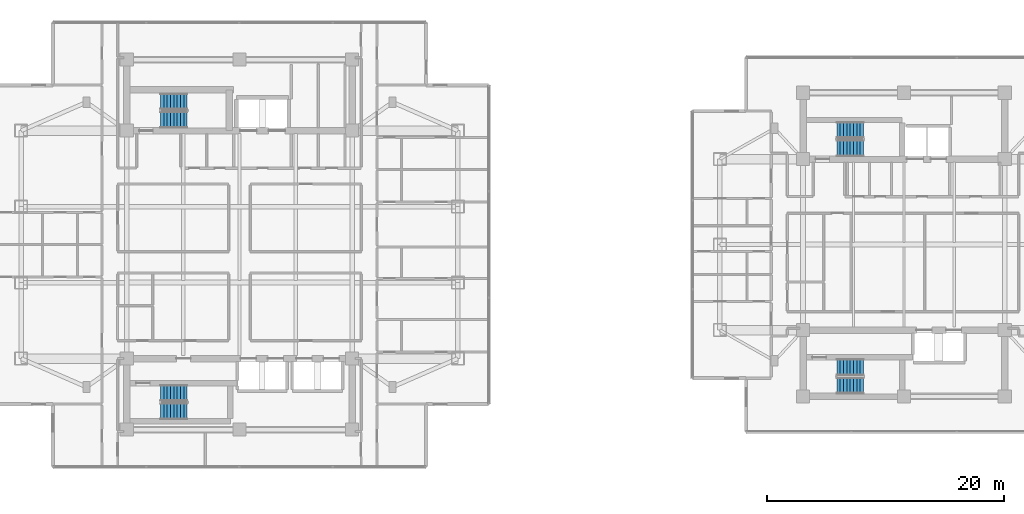
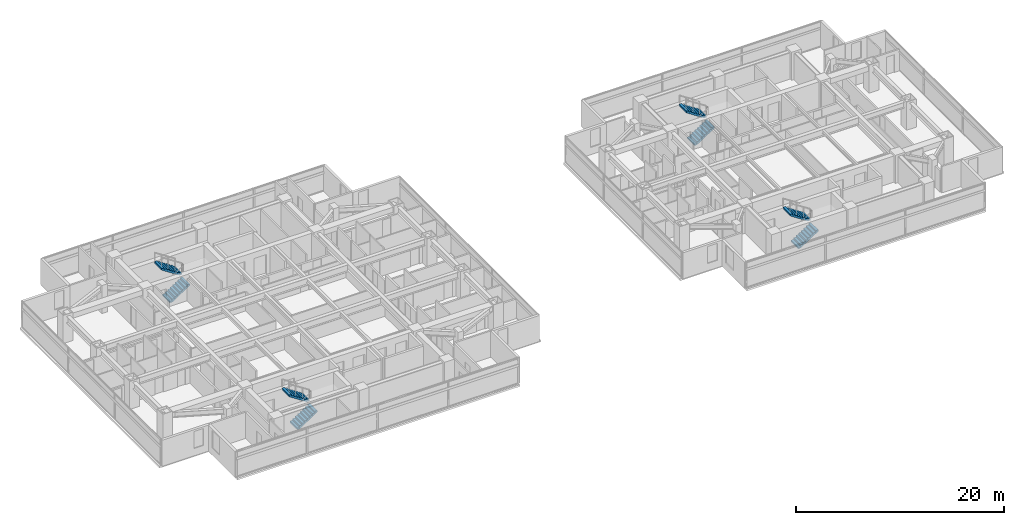
# One storey, part 19 of 25: 8 stair flights, 4 elements without a shape of their own.
"""IFC4 building model written with IfcOpenShell, lengths in metres."""

from ifc_helpers import new_model, si_unit, direction, frame, origin, place, context, subcontext, project, spatial, polyline, outline, extrude, material, type_object, element, aggregate, save


model = new_model("IFC4")

# Units and contexts
model_context = context("Model", 3, precision=1e-05, world=origin(), true_north=direction((0.0, 1.0)))
body_context = subcontext(model_context, "Body", "Model", "MODEL_VIEW")
ifc_project = project(units=[si_unit("LENGTHUNIT", "METRE"), si_unit("AREAUNIT", "SQUARE_METRE"), si_unit("VOLUMEUNIT", "CUBIC_METRE"), si_unit("PLANEANGLEUNIT", "RADIAN"), si_unit("MASSUNIT", "GRAM", prefix="KILO")], contexts=[model_context])

# Site, building, storey
site_placement = place(None, origin())
site = spatial("IfcSite", under=ifc_project, at=site_placement, CompositionType="ELEMENT")
building_placement = place(site_placement, origin())
building = spatial("IfcBuilding", under=site, at=building_placement, Name="Mirazonda Arch Towers", CompositionType="ELEMENT")
storey_placement = place(building_placement, frame((0.0, 0.0, 131.300048828125)))
storey = spatial("IfcBuildingStorey", under=building, at=storey_placement, Name="L37", CompositionType="ELEMENT", Elevation=131.300048828125)

# Stair, stair flights
ifc_material = material(Name="Concrete C40/50", Category="concrete")
stair_type = type_object("IfcStairType", Name="STAIR-CORE-1400", PredefinedType="HALF_TURN_STAIR", material=ifc_material)
stair_1_placement = place(storey_placement, origin())
stair_1 = element("IfcStair", 1, at=stair_1_placement, inside=storey, type_object=stair_type, Name="L37 Protected Exit Stair ST-T1N", PredefinedType="HALF_TURN_STAIR")
stair_flight_type = type_object("IfcStairFlightType", Name="FLIGHT-1400", PredefinedType="STRAIGHT", material=ifc_material)
stair_flight_1_placement = place(storey_placement, frame((13.85009765625, 38.52001953125, 0.0), z_axis=(0.0, 0.0, 1.0), x_axis=(1.0, 0.0, 0.0)))
stair_flight_1 = element("IfcStairFlight", 2, at=stair_flight_1_placement, type_object=stair_flight_type, Name="ST-T1N flight 1", NumberOfRisers=9, NumberOfTreads=8, PredefinedType="STRAIGHT", RiserHeight=0.183333333, TreadLength=0.28, context=body_context, shape_type="SweptSolid", body=[
    extrude(outline(polyline([(0.0, 0.0), (0.0, 0.183349609375), (0.280029296875, 0.183349609375), (0.280029296875, 0.36669921875), (0.56005859375, 0.36669921875), (0.56005859375, 0.550048828125), (0.840087890625, 0.550048828125), (0.840087890625, 0.7333984375), (1.1201171875, 0.7333984375), (1.1201171875, 0.916748046875), (1.39990234375, 0.916748046875), (1.39990234375, 1.10009765625), (1.679931640625, 1.10009765625), (1.679931640625, 1.283447265625), (1.9599609375, 1.283447265625), (1.9599609375, 1.466552734375), (2.239990234375, 1.466552734375), (2.239990234375, 1.64990234375), (2.239990234375, 1.275634765625), (0.2919921875, 0.0), (0.0, 0.0)])), frame((0.0, 0.699951171875, 0.0), z_axis=(0.0, -1.0, 0.0), x_axis=(1.0, 0.0, 0.0)), (0.0, 0.0, 1.0), 1.39990234375),
])
stair_flight_2_placement = place(storey_placement, frame((16.090087890625, 40.06005859375, 1.64990234375), z_axis=(0.0, 0.0, 1.0), x_axis=(-1.0, 0.0, 0.0)))
stair_flight_2 = element("IfcStairFlight", 3, at=stair_flight_2_placement, type_object=stair_flight_type, Name="ST-T1N flight 2", NumberOfRisers=9, NumberOfTreads=8, PredefinedType="STRAIGHT", RiserHeight=0.183333333, TreadLength=0.28, context=body_context, shape_type="SweptSolid", body=[
    extrude(outline(polyline([(0.0, 0.0), (0.0, 0.183349609375), (0.280029296875, 0.183349609375), (0.280029296875, 0.36669921875), (0.56005859375, 0.36669921875), (0.56005859375, 0.550048828125), (0.840087890625, 0.550048828125), (0.840087890625, 0.7333984375), (1.1201171875, 0.7333984375), (1.1201171875, 0.916748046875), (1.39990234375, 0.916748046875), (1.39990234375, 1.10009765625), (1.679931640625, 1.10009765625), (1.679931640625, 1.283447265625), (1.9599609375, 1.283447265625), (1.9599609375, 1.466552734375), (2.239990234375, 1.466552734375), (2.239990234375, 1.64990234375), (2.239990234375, 1.275634765625), (0.2919921875, 0.0), (0.0, 0.0)])), frame((0.0, 0.699951171875, 0.0), z_axis=(0.0, -1.0, 0.0), x_axis=(1.0, 0.0, 0.0)), (0.0, 0.0, 1.0), 1.39990234375),
])
aggregate(stair_1, [stair_flight_1, stair_flight_2])

stair_2_placement = place(storey_placement, origin())
stair_2 = element("IfcStair", 4, at=stair_2_placement, inside=storey, type_object=stair_type, Name="L37 Protected Exit Stair ST-T1S", PredefinedType="HALF_TURN_STAIR")
stair_flight_3_placement = place(storey_placement, frame((13.85009765625, 13.949951171875, 0.0), z_axis=(0.0, 0.0, 1.0), x_axis=(1.0, 0.0, 0.0)))
stair_flight_3 = element("IfcStairFlight", 5, at=stair_flight_3_placement, type_object=stair_flight_type, Name="ST-T1S flight 1", NumberOfRisers=9, NumberOfTreads=8, PredefinedType="STRAIGHT", RiserHeight=0.183333333, TreadLength=0.28, context=body_context, shape_type="SweptSolid", body=[
    extrude(outline(polyline([(0.0, 0.0), (0.0, 0.183349609375), (0.280029296875, 0.183349609375), (0.280029296875, 0.36669921875), (0.56005859375, 0.36669921875), (0.56005859375, 0.550048828125), (0.840087890625, 0.550048828125), (0.840087890625, 0.7333984375), (1.1201171875, 0.7333984375), (1.1201171875, 0.916748046875), (1.39990234375, 0.916748046875), (1.39990234375, 1.10009765625), (1.679931640625, 1.10009765625), (1.679931640625, 1.283447265625), (1.9599609375, 1.283447265625), (1.9599609375, 1.466552734375), (2.239990234375, 1.466552734375), (2.239990234375, 1.64990234375), (2.239990234375, 1.275634765625), (0.2919921875, 0.0), (0.0, 0.0)])), frame((0.0, 0.699951171875, 0.0), z_axis=(0.0, -1.0, 0.0), x_axis=(1.0, 0.0, 0.0)), (0.0, 0.0, 1.0), 1.39990234375),
])
stair_flight_4_placement = place(storey_placement, frame((16.090087890625, 15.489990234375, 1.64990234375), z_axis=(0.0, 0.0, 1.0), x_axis=(-1.0, 0.0, 0.0)))
stair_flight_4 = element("IfcStairFlight", 6, at=stair_flight_4_placement, type_object=stair_flight_type, Name="ST-T1S flight 2", NumberOfRisers=9, NumberOfTreads=8, PredefinedType="STRAIGHT", RiserHeight=0.183333333, TreadLength=0.28, context=body_context, shape_type="SweptSolid", body=[
    extrude(outline(polyline([(0.0, 0.0), (0.0, 0.183349609375), (0.280029296875, 0.183349609375), (0.280029296875, 0.36669921875), (0.56005859375, 0.36669921875), (0.56005859375, 0.550048828125), (0.840087890625, 0.550048828125), (0.840087890625, 0.7333984375), (1.1201171875, 0.7333984375), (1.1201171875, 0.916748046875), (1.39990234375, 0.916748046875), (1.39990234375, 1.10009765625), (1.679931640625, 1.10009765625), (1.679931640625, 1.283447265625), (1.9599609375, 1.283447265625), (1.9599609375, 1.466552734375), (2.239990234375, 1.466552734375), (2.239990234375, 1.64990234375), (2.239990234375, 1.275634765625), (0.2919921875, 0.0), (0.0, 0.0)])), frame((0.0, 0.699951171875, 0.0), z_axis=(0.0, -1.0, 0.0), x_axis=(1.0, 0.0, 0.0)), (0.0, 0.0, 1.0), 1.39990234375),
])
aggregate(stair_2, [stair_flight_3, stair_flight_4])

stair_3_placement = place(storey_placement, origin())
stair_3 = element("IfcStair", 7, at=stair_3_placement, inside=storey, type_object=stair_type, Name="L37 Protected Exit Stair ST-T2N", PredefinedType="HALF_TURN_STAIR")
stair_flight_5_placement = place(storey_placement, frame((70.85009765625, 36.1201171875, 0.0), z_axis=(0.0, 0.0, 1.0), x_axis=(1.0, 0.0, 0.0)))
stair_flight_5 = element("IfcStairFlight", 8, at=stair_flight_5_placement, type_object=stair_flight_type, Name="ST-T2N flight 1", NumberOfRisers=9, NumberOfTreads=8, PredefinedType="STRAIGHT", RiserHeight=0.183333333, TreadLength=0.28, context=body_context, shape_type="SweptSolid", body=[
    extrude(outline(polyline([(0.0, 0.0), (0.0, 0.183349609375), (0.280029296875, 0.183349609375), (0.280029296875, 0.36669921875), (0.56005859375, 0.36669921875), (0.56005859375, 0.550048828125), (0.840087890625, 0.550048828125), (0.840087890625, 0.7333984375), (1.1201171875, 0.7333984375), (1.1201171875, 0.916748046875), (1.39990234375, 0.916748046875), (1.39990234375, 1.10009765625), (1.679931640625, 1.10009765625), (1.679931640625, 1.283447265625), (1.9599609375, 1.283447265625), (1.9599609375, 1.466552734375), (2.239990234375, 1.466552734375), (2.239990234375, 1.64990234375), (2.239990234375, 1.275634765625), (0.2919921875, 0.0), (0.0, 0.0)])), frame((0.0, 0.699951171875, 0.0), z_axis=(0.0, -1.0, 0.0), x_axis=(1.0, 0.0, 0.0)), (0.0, 0.0, 1.0), 1.39990234375),
])
stair_flight_6_placement = place(storey_placement, frame((73.090087890625, 37.659912109375, 1.64990234375), z_axis=(0.0, 0.0, 1.0), x_axis=(-1.0, 0.0, 0.0)))
stair_flight_6 = element("IfcStairFlight", 9, at=stair_flight_6_placement, type_object=stair_flight_type, Name="ST-T2N flight 2", NumberOfRisers=9, NumberOfTreads=8, PredefinedType="STRAIGHT", RiserHeight=0.183333333, TreadLength=0.28, context=body_context, shape_type="SweptSolid", body=[
    extrude(outline(polyline([(0.0, 0.0), (0.0, 0.183349609375), (0.280029296875, 0.183349609375), (0.280029296875, 0.36669921875), (0.56005859375, 0.36669921875), (0.56005859375, 0.550048828125), (0.840087890625, 0.550048828125), (0.840087890625, 0.7333984375), (1.1201171875, 0.7333984375), (1.1201171875, 0.916748046875), (1.39990234375, 0.916748046875), (1.39990234375, 1.10009765625), (1.679931640625, 1.10009765625), (1.679931640625, 1.283447265625), (1.9599609375, 1.283447265625), (1.9599609375, 1.466552734375), (2.239990234375, 1.466552734375), (2.239990234375, 1.64990234375), (2.239990234375, 1.275634765625), (0.2919921875, 0.0), (0.0, 0.0)])), frame((0.0, 0.699951171875, 0.0), z_axis=(0.0, -1.0, 0.0), x_axis=(1.0, 0.0, 0.0)), (0.0, 0.0, 1.0), 1.39990234375),
])
aggregate(stair_3, [stair_flight_5, stair_flight_6])

stair_4_placement = place(storey_placement, origin())
stair_4 = element("IfcStair", 10, at=stair_4_placement, inside=storey, type_object=stair_type, Name="L37 Protected Exit Stair ST-T2S", PredefinedType="HALF_TURN_STAIR")
stair_flight_7_placement = place(storey_placement, frame((70.85009765625, 16.1201171875, 0.0), z_axis=(0.0, 0.0, 1.0), x_axis=(1.0, 0.0, 0.0)))
stair_flight_7 = element("IfcStairFlight", 11, at=stair_flight_7_placement, type_object=stair_flight_type, Name="ST-T2S flight 1", NumberOfRisers=9, NumberOfTreads=8, PredefinedType="STRAIGHT", RiserHeight=0.183333333, TreadLength=0.28, context=body_context, shape_type="SweptSolid", body=[
    extrude(outline(polyline([(0.0, 0.0), (0.0, 0.183349609375), (0.280029296875, 0.183349609375), (0.280029296875, 0.36669921875), (0.56005859375, 0.36669921875), (0.56005859375, 0.550048828125), (0.840087890625, 0.550048828125), (0.840087890625, 0.7333984375), (1.1201171875, 0.7333984375), (1.1201171875, 0.916748046875), (1.39990234375, 0.916748046875), (1.39990234375, 1.10009765625), (1.679931640625, 1.10009765625), (1.679931640625, 1.283447265625), (1.9599609375, 1.283447265625), (1.9599609375, 1.466552734375), (2.239990234375, 1.466552734375), (2.239990234375, 1.64990234375), (2.239990234375, 1.275634765625), (0.2919921875, 0.0), (0.0, 0.0)])), frame((0.0, 0.699951171875, 0.0), z_axis=(0.0, -1.0, 0.0), x_axis=(1.0, 0.0, 0.0)), (0.0, 0.0, 1.0), 1.39990234375),
])
stair_flight_8_placement = place(storey_placement, frame((73.090087890625, 17.659912109375, 1.64990234375), z_axis=(0.0, 0.0, 1.0), x_axis=(-1.0, 0.0, 0.0)))
stair_flight_8 = element("IfcStairFlight", 12, at=stair_flight_8_placement, type_object=stair_flight_type, Name="ST-T2S flight 2", NumberOfRisers=9, NumberOfTreads=8, PredefinedType="STRAIGHT", RiserHeight=0.183333333, TreadLength=0.28, context=body_context, shape_type="SweptSolid", body=[
    extrude(outline(polyline([(0.0, 0.0), (0.0, 0.183349609375), (0.280029296875, 0.183349609375), (0.280029296875, 0.36669921875), (0.56005859375, 0.36669921875), (0.56005859375, 0.550048828125), (0.840087890625, 0.550048828125), (0.840087890625, 0.7333984375), (1.1201171875, 0.7333984375), (1.1201171875, 0.916748046875), (1.39990234375, 0.916748046875), (1.39990234375, 1.10009765625), (1.679931640625, 1.10009765625), (1.679931640625, 1.283447265625), (1.9599609375, 1.283447265625), (1.9599609375, 1.466552734375), (2.239990234375, 1.466552734375), (2.239990234375, 1.64990234375), (2.239990234375, 1.275634765625), (0.2919921875, 0.0), (0.0, 0.0)])), frame((0.0, 0.699951171875, 0.0), z_axis=(0.0, -1.0, 0.0), x_axis=(1.0, 0.0, 0.0)), (0.0, 0.0, 1.0), 1.39990234375),
])
aggregate(stair_4, [stair_flight_7, stair_flight_8])

save(model, "model.ifc")
